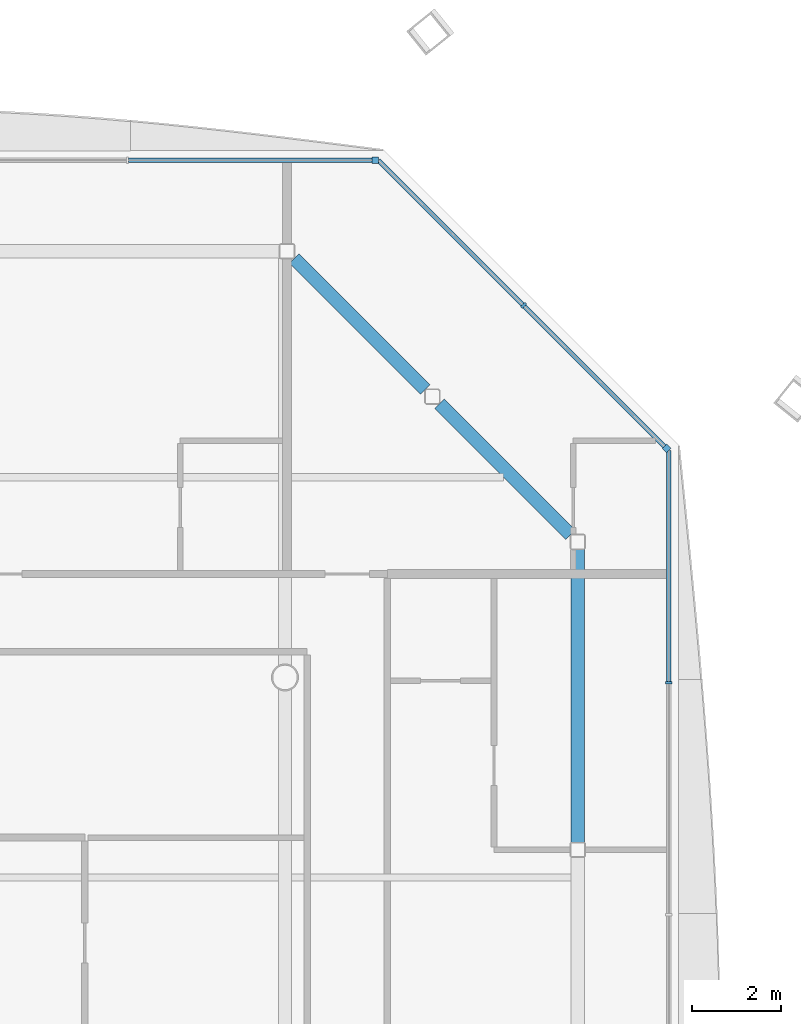
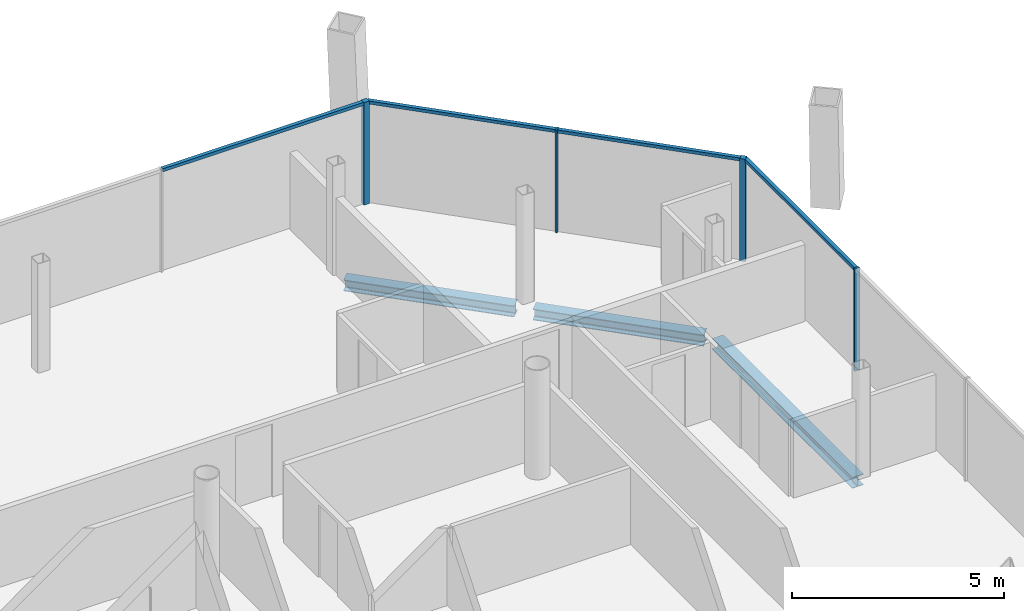
# One storey, part 12 of 20: 8 members, 3 beams, 3 elements without a shape of their own.
"""IFC4 building model written with IfcOpenShell, lengths in metres."""

from ifc_helpers import new_model, si_unit, direction, frame, origin, origin_2d, place, context, subcontext, project, spatial, rectangle, i_section, extrude, material, material_profile, profile_set, type_object, element, aggregate, save


model = new_model("IFC4")

# Units and contexts
model_context = context("Model", 3, precision=1e-05, world=origin(), true_north=direction((0.0, 1.0)))
body_context = subcontext(model_context, "Body", "Model", "MODEL_VIEW")
ifc_project = project(units=[si_unit("LENGTHUNIT", "METRE"), si_unit("AREAUNIT", "SQUARE_METRE"), si_unit("VOLUMEUNIT", "CUBIC_METRE"), si_unit("PLANEANGLEUNIT", "RADIAN"), si_unit("MASSUNIT", "GRAM", prefix="KILO")], contexts=[model_context])

# Site, building, storey
site_placement = place(None, origin())
site = spatial("IfcSite", under=ifc_project, at=site_placement, CompositionType="ELEMENT")
building_placement = place(site_placement, origin())
building = spatial("IfcBuilding", under=site, at=building_placement, Name="Tskaro Facet Tower", CompositionType="ELEMENT")
storey_placement = place(building_placement, frame((0.0, 0.0, 184.800048828125)))
storey = spatial("IfcBuildingStorey", under=building, at=storey_placement, Name="L46", CompositionType="ELEMENT", Elevation=184.800048828125)

# Curtain wall, member
ifc_material_1 = material(Name="Bronze anodised aluminium 6063-T6", Category="aluminium")
curtain_wall_type = type_object("IfcCurtainWallType", Name="Bronze residence curtain wall (FW3)", PredefinedType="NOTDEFINED", material=ifc_material_1)
curtain_wall_1_placement = place(storey_placement, origin())
curtain_wall_1 = element("IfcCurtainWall", 1, at=curtain_wall_1_placement, inside=storey, type_object=curtain_wall_type, Name="FW3 north-east facet L46", PredefinedType="NOTDEFINED")
ifc_material_profile_1 = material_profile(ifc_material_1, rectangle(XDim=0.139892578125, YDim=0.139892578125, at=origin_2d()), Name="Corner post 140x140")
ifc_profile_set_1 = profile_set([ifc_material_profile_1], Name="Bronze anodised aluminium 6063-T6")
member_type_1 = type_object("IfcMemberType", Name="FW3 bronze corner post 140x140", PredefinedType="MULLION", material=ifc_profile_set_1)
member_1_placement = place(storey_placement, frame((17.57861328125, 14.1494140625, 0.0), z_axis=(0.0, 0.0, 1.0), x_axis=(-0.707106781187, 0.707106781187, 0.0)))
member_1 = element("IfcMember", 2, at=member_1_placement, type_object=member_type_1, Name="FW3 north-east corner post", PredefinedType="MULLION", context=body_context, shape_type="SweptSolid", body=[
    extrude(rectangle(XDim=0.139892578125, YDim=0.139892578125, at=origin_2d()), origin(), (0.0, 0.0, 1.0), 2.949951171875),
])

curtain_wall_2_placement = place(storey_placement, origin())
curtain_wall_2 = element("IfcCurtainWall", 3, at=curtain_wall_2_placement, inside=storey, type_object=curtain_wall_type, Name="FW3 north facet L46", PredefinedType="NOTDEFINED")
member_2_placement = place(storey_placement, frame((11.030029296875, 20.6279296875, 0.0), z_axis=(0.0, 0.0, 1.0), x_axis=(-1.0, 0.0, 0.0)))
member_2 = element("IfcMember", 4, at=member_2_placement, type_object=member_type_1, Name="FW3 north corner post", PredefinedType="MULLION", context=body_context, shape_type="SweptSolid", body=[
    extrude(rectangle(XDim=0.139892578125, YDim=0.139892578125, at=origin_2d()), origin(), (0.0, 0.0, 1.0), 2.949951171875),
])

curtain_wall_3_placement = place(storey_placement, origin())
curtain_wall_3 = element("IfcCurtainWall", 5, at=curtain_wall_3_placement, inside=storey, type_object=curtain_wall_type, Name="FW3 east facet L46", PredefinedType="NOTDEFINED")
ifc_material_profile_2 = material_profile(ifc_material_1, rectangle(XDim=0.050048828125, YDim=0.139892578125, at=origin_2d()), Name="Mullion 50x140")
ifc_profile_set_2 = profile_set([ifc_material_profile_2], Name="Bronze anodised aluminium 6063-T6")
member_type_2 = type_object("IfcMemberType", Name="FW3 bronze mullion 50x140", PredefinedType="MULLION", material=ifc_profile_set_2)
member_3_placement = place(storey_placement, frame((17.6279296875, 8.8818359375, 0.0), z_axis=(0.0, 0.0, 1.0), x_axis=(0.0, 1.0, 0.0)))
member_3 = element("IfcMember", 6, at=member_3_placement, type_object=member_type_2, Name="FW3 east mullion 5", PredefinedType="MULLION", context=body_context, shape_type="SweptSolid", body=[
    extrude(rectangle(XDim=0.050048828125, YDim=0.139892578125, at=origin_2d()), origin(), (0.0, 0.0, 1.0), 2.949951171875),
])

# Member
member_4_placement = place(storey_placement, frame((14.364013671875, 17.364013671875, 0.0), z_axis=(0.0, 0.0, 1.0), x_axis=(-0.707106781187, 0.707106781187, 0.0)))
member_4 = element("IfcMember", 7, at=member_4_placement, type_object=member_type_2, Name="FW3 north-east mullion 1", PredefinedType="MULLION", context=body_context, shape_type="SweptSolid", body=[
    extrude(rectangle(XDim=0.050048828125, YDim=0.139892578125, at=origin_2d()), origin(), (0.0, 0.0, 1.0), 2.949951171875),
])

ifc_material_profile_3 = material_profile(ifc_material_1, rectangle(XDim=0.10009765625, YDim=0.090087890625, at=origin_2d()), Name="Transom 100x90")
ifc_profile_set_3 = profile_set([ifc_material_profile_3], Name="Bronze anodised aluminium 6063-T6")
member_type_3 = type_object("IfcMemberType", Name="FW3 bronze transom 100x90", PredefinedType="USERDEFINED", material=ifc_profile_set_3)
member_5_placement = place(storey_placement, frame((17.6279296875, 8.90673828125, 2.905029296875), z_axis=(0.0, 1.0, 0.0), x_axis=(-1.0, 0.0, 0.0)))
member_5 = element("IfcMember", 8, at=member_5_placement, type_object=member_type_3, Name="FW3 east transom 6.1", ObjectType="TRANSOM", PredefinedType="USERDEFINED", context=body_context, shape_type="SweptSolid", body=[
    extrude(rectangle(XDim=0.10009765625, YDim=0.090087890625, at=origin_2d()), origin(), (0.0, 0.0, 1.0), 5.193359375),
])

aggregate(curtain_wall_3, [member_3, member_5])

member_6_placement = place(storey_placement, frame((17.529052734375, 14.198974609375, 2.905029296875), z_axis=(-0.707106781187, 0.707106781187, 0.0), x_axis=(-0.707106781187, -0.707106781187, 0.0)))
member_6 = element("IfcMember", 9, at=member_6_placement, type_object=member_type_3, Name="FW3 north-east transom 1.1", ObjectType="TRANSOM", PredefinedType="USERDEFINED", context=body_context, shape_type="SweptSolid", body=[
    extrude(rectangle(XDim=0.10009765625, YDim=0.090087890625, at=origin_2d()), origin(), (0.0, 0.0, 1.0), 4.451171875),
])

member_7_placement = place(storey_placement, frame((14.346435546875, 17.381591796875, 2.905029296875), z_axis=(-0.707106781187, 0.707106781187, 0.0), x_axis=(-0.707106781187, -0.707106781187, 0.0)))
member_7 = element("IfcMember", 10, at=member_7_placement, type_object=member_type_3, Name="FW3 north-east transom 2.1", ObjectType="TRANSOM", PredefinedType="USERDEFINED", context=body_context, shape_type="SweptSolid", body=[
    extrude(rectangle(XDim=0.10009765625, YDim=0.090087890625, at=origin_2d()), origin(), (0.0, 0.0, 1.0), 4.591064453125),
])

aggregate(curtain_wall_1, [member_1, member_4, member_6, member_7])

member_8_placement = place(storey_placement, frame((10.9599609375, 20.6279296875, 2.905029296875), z_axis=(-1.0, 0.0, 0.0), x_axis=(0.0, -1.0, 0.0)))
member_8 = element("IfcMember", 11, at=member_8_placement, type_object=member_type_3, Name="FW3 north transom 1.1", ObjectType="TRANSOM", PredefinedType="USERDEFINED", context=body_context, shape_type="SweptSolid", body=[
    extrude(rectangle(XDim=0.10009765625, YDim=0.090087890625, at=origin_2d()), origin(), (0.0, 0.0, 1.0), 5.474853515625),
])

aggregate(curtain_wall_2, [member_2, member_8])

# Beams
ifc_material_2 = material(Name="Steel S355J2", Category="steel")
ifc_material_profile_4 = material_profile(ifc_material_2, i_section(OverallWidth=0.300048828125, OverallDepth=0.320068359375, WebThickness=0.011474609375, FlangeThickness=0.0205078125, FilletRadius=0.027099609375, at=origin_2d()), Name="HE 320 B")
ifc_profile_set_4 = profile_set([ifc_material_profile_4], Name="Steel S355J2")
beam_type = type_object("IfcBeamType", Name="HE 320 B ring beam", PredefinedType="BEAM", material=ifc_profile_set_4)
beam_placement = place(storey_placement, frame((15.5830078125, 5.281005859375, -0.300048828125), z_axis=(0.0, 1.0, 0.0), x_axis=(-1.0, 0.0, 0.0)))
element("IfcBeam", 12, at=beam_placement, inside=storey, type_object=beam_type, Name="HE 320 B EB9-4", PredefinedType="BEAM", context=body_context, shape_type="SweptSolid", body=[
    extrude(i_section(OverallWidth=0.300048828125, OverallDepth=0.320068359375, WebThickness=0.011474609375, FlangeThickness=0.0205078125, FilletRadius=0.027099609375, at=origin_2d()), origin(), (0.0, 0.0, 1.0), 6.610107421875),
])
for number, where, z_axis, x_axis, name in (
    (13, (15.422119140625, 12.206787109375, -0.300048828125), (-0.70722393913, 0.706989603829, 0.0), (-0.706989603829, -0.70722393913, 0.0), "HE 320 B EB10-4"),
    (14, (12.153076171875, 15.474853515625, -0.300048828125), (-0.706989603829, 0.70722393913, 0.0), (-0.70722393913, -0.706989603829, 0.0), "HE 320 B EB11-4"),
):
    element("IfcBeam", number, at=place(storey_placement, frame(where, z_axis=z_axis, x_axis=x_axis)), inside=storey, type_object=beam_type, Name=name, PredefinedType="BEAM", context=body_context, shape_type="SweptSolid", body=[
        extrude(i_section(OverallWidth=0.300048828125, OverallDepth=0.320068359375, WebThickness=0.011474609375, FlangeThickness=0.0205078125, FilletRadius=0.027099609375, at=origin_2d()), origin(), (0.0, 0.0, 1.0), 4.16748046875),
    ])

save(model, "model.ifc")
